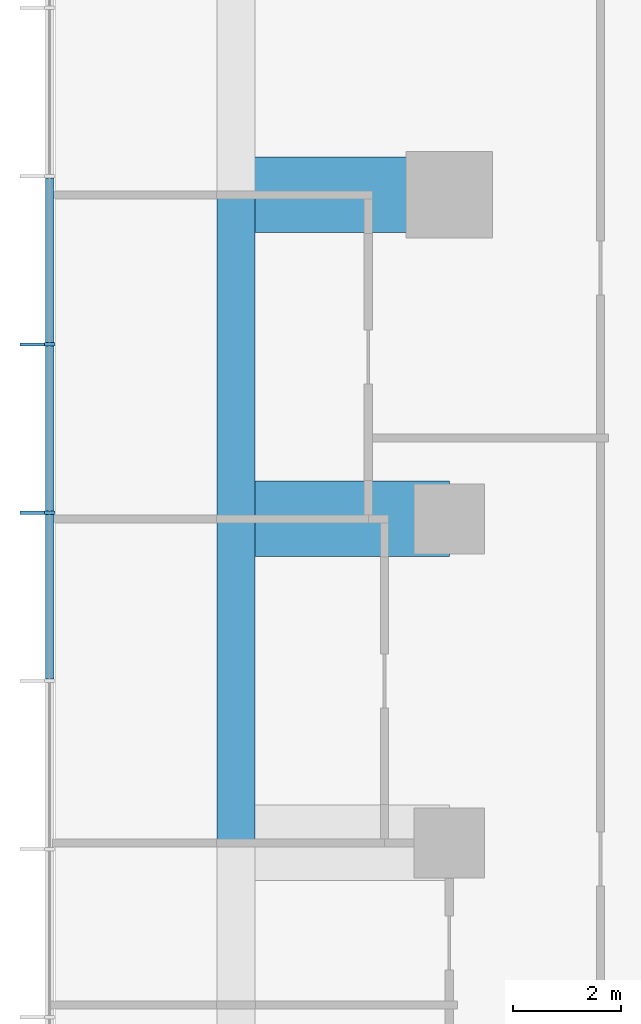
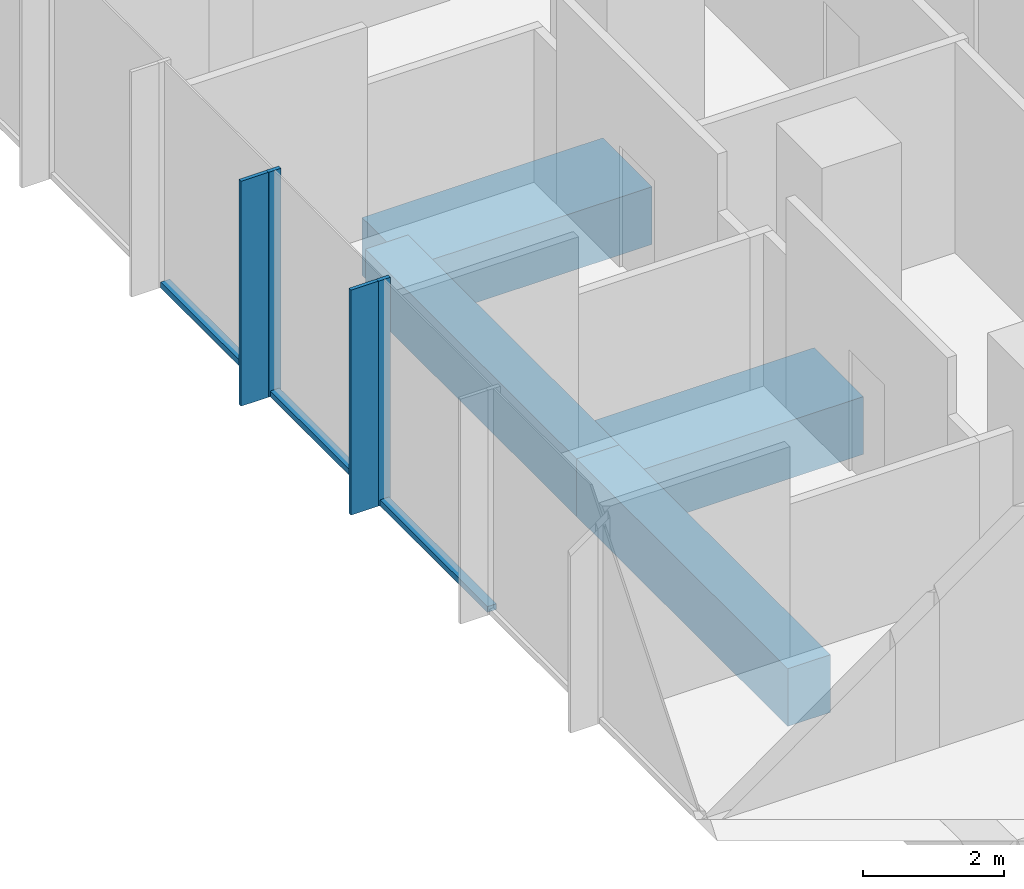
# One storey, part 3 of 11: 7 members, 4 beams, 1 element without a shape of its own.
"""IFC4 building model written with IfcOpenShell, lengths in metres."""

import ifcopenshell
import ifcopenshell.guid

model = None  # the IFC model being written
_history = None  # IfcOwnerHistory: only IFC2X3 demands one
_inside = {}  # id of a spatial element -> (the spatial element, [elements in it])
_under = {}  # id of a project, library or spatial element -> (it, [spatial elements below it])
_declared = {}  # id of a project -> (the project, [libraries it declares])
_typed = {}  # id of a type object -> (the type object, [elements of that type])
_made_of = {}  # id of a material, layer set ... -> (it, [elements and type objects made of it])


def new_model(schema):
    """Start an empty IFC model of exactly this schema.

    Asked for "IFC4X3", IfcOpenShell would pick the latest addendum, in which some entities
    have other attributes; the version numbers below select the first issue.
    IFC2X3 requires an IfcOwnerHistory on every rooted entity: one is made here for all.
    """
    global model, _history
    if schema == "IFC4X3":
        model = ifcopenshell.file(schema_version=(4, 3, 0, 0))
    else:
        model = ifcopenshell.file(schema=schema)
    _inside.clear()
    _under.clear()
    _declared.clear()
    _typed.clear()
    _made_of.clear()
    _history = None
    if model.schema == "IFC2X3":
        org = make("IfcOrganization", Name="unknown")
        user = make(
            "IfcPersonAndOrganization",
            ThePerson=make("IfcPerson", FamilyName="unknown"),
            TheOrganization=org,
        )
        app = make(
            "IfcApplication",
            ApplicationDeveloper=org,
            Version="unknown",
            ApplicationFullName="unknown",
            ApplicationIdentifier="unknown",
        )
        _history = make(
            "IfcOwnerHistory",
            OwningUser=user,
            OwningApplication=app,
            ChangeAction="ADDED",
            CreationDate=0,
        )
    return model


def make(cls, **values):
    """One entity of the class cls with the attributes given. An attribute that is None is left unset."""
    return model.create_entity(
        cls, **{name: value for name, value in values.items() if value is not None}
    )


def rooted(cls, **values):
    """An entity with a GlobalId (a new one), such as an element, a storey or a relation."""
    return make(cls, GlobalId=ifcopenshell.guid.new(), OwnerHistory=_history, **values)


def si_unit(unit_type, name, prefix=None):
    """IfcSIUnit, for example si_unit("LENGTHUNIT", "METRE", prefix="MILLI")."""
    return make("IfcSIUnit", UnitType=unit_type, Prefix=prefix, Name=name)


def assignment(units):
    """IfcUnitAssignment: the units of a project."""
    return None if units is None else make("IfcUnitAssignment", Units=units)


def point(xyz):
    """IfcCartesianPoint."""
    return None if xyz is None else make("IfcCartesianPoint", Coordinates=xyz)


def direction(xyz):
    """IfcDirection."""
    return None if xyz is None else make("IfcDirection", DirectionRatios=xyz)


def frame(location, z_axis=None, x_axis=None):
    """IfcAxis2Placement3D, a coordinate frame: its origin and axes. An axis left out is left unset."""
    return make(
        "IfcAxis2Placement3D",
        Location=point(location),
        Axis=direction(z_axis),
        RefDirection=direction(x_axis),
    )


def frame_2d(location, x_axis=None):
    """IfcAxis2Placement2D, a coordinate frame in the plane: its origin and x axis."""
    return make(
        "IfcAxis2Placement2D", Location=point(location), RefDirection=direction(x_axis)
    )


def origin():
    """The frame at (0, 0, 0) with its axes left unset."""
    return frame((0.0, 0.0, 0.0))


def origin_2d():
    """The frame at (0, 0) in the plane with its x axis left unset."""
    return frame_2d((0.0, 0.0))


def place(relative_to, where):
    """IfcLocalPlacement: puts the frame where relative to a parent placement (None: the world)."""
    return make(
        "IfcLocalPlacement", PlacementRelTo=relative_to, RelativePlacement=where
    )


def context(
    kind, dimensions, precision=None, world=None, true_north=None, identifier=None
):
    """IfcGeometricRepresentationContext, for example the 3D "Model" context."""
    return make(
        "IfcGeometricRepresentationContext",
        ContextIdentifier=identifier,
        ContextType=kind,
        CoordinateSpaceDimension=dimensions,
        Precision=precision,
        WorldCoordinateSystem=world,
        TrueNorth=true_north,
    )


def subcontext(parent, identifier, kind, view, scale=None):
    """IfcGeometricRepresentationSubContext, for example "Body" below "Model"."""
    return make(
        "IfcGeometricRepresentationSubContext",
        ContextIdentifier=identifier,
        ContextType=kind,
        ParentContext=parent,
        TargetScale=scale,
        TargetView=view,
    )


def project(units=None, contexts=None):
    """IfcProject with its units and contexts."""
    return rooted(
        "IfcProject",
        Name="project",
        RepresentationContexts=contexts,
        UnitsInContext=assignment(units),
    )


def spatial(cls, under=None, at=None, **own):
    """A site, building, storey or space (cls), placed at a placement, below another one or the project."""
    s = rooted(cls, ObjectPlacement=at, **own)
    if under is not None:
        _under.setdefault(under.id(), (under, []))[1].append(s)
    return s


def profile(cls, at=None, kind="AREA", **sizes):
    """A parametric profile (cls). Its sizes go by their IFC names, for example OverallWidth=200.0."""
    return make(cls, ProfileType=kind, Position=at, **sizes)


def rectangle(**sizes):
    """IfcRectangleProfileDef."""
    return profile("IfcRectangleProfileDef", **sizes)


def extrude(swept, where, along, depth):
    """IfcExtrudedAreaSolid: the profile swept, set in the frame where, extruded along a direction by depth."""
    return make(
        "IfcExtrudedAreaSolid",
        SweptArea=swept,
        Position=where,
        ExtrudedDirection=direction(along),
        Depth=depth,
    )


def shape(context_of_items, identifier, shape_type, items):
    """IfcShapeRepresentation: the items that make up one representation, for example the "Body"."""
    return make(
        "IfcShapeRepresentation",
        ContextOfItems=context_of_items,
        RepresentationIdentifier=identifier,
        RepresentationType=shape_type,
        Items=items,
    )


def material(Name=None, Category=None):
    """IfcMaterial."""
    return make("IfcMaterial", Name=Name, Category=Category)


def layer(
    of_material, thickness, ventilated=None, Name=None, Category=None, Priority=None
):
    """IfcMaterialLayer: one layer of a wall or slab, of a material (None: an air gap)."""
    return make(
        "IfcMaterialLayer",
        Material=of_material,
        LayerThickness=thickness,
        IsVentilated=ventilated,
        Name=Name,
        Category=Category,
        Priority=Priority,
    )


def layer_set(layers, Name=None):
    """IfcMaterialLayerSet."""
    return make("IfcMaterialLayerSet", MaterialLayers=layers, LayerSetName=Name)


def material_profile(
    of_material, cross_section, Name=None, Category=None, Priority=None
):
    """IfcMaterialProfile: a cross section and its material."""
    return make(
        "IfcMaterialProfile",
        Name=Name,
        Material=of_material,
        Profile=cross_section,
        Priority=Priority,
        Category=Category,
    )


def profile_set(profiles, Name=None, composite=None):
    """IfcMaterialProfileSet."""
    return make(
        "IfcMaterialProfileSet",
        Name=Name,
        MaterialProfiles=profiles,
        CompositeProfile=composite,
    )


def made_of(thing, what):
    """Note that an element or type object is made of a material, layer set ...; save() writes the relation."""
    if what is not None:
        _made_of.setdefault(what.id(), (what, []))[1].append(thing)
    return thing


def type_object(cls, material=None, **own):
    """A type object (cls), such as IfcWallType, which elements share."""
    return made_of(rooted(cls, **own), material)


def element(
    cls,
    number,
    at=None,
    inside=None,
    cuts=None,
    type_object=None,
    material=None,
    context=None,
    identifier="Body",
    shape_type=None,
    held_by="IfcProductDefinitionShape",
    body=None,
    shapes=None,
    **own,
):
    """One element of the class cls, such as IfcWall. Its Tag is "e" and its number.

    at: its placement. inside: the storey or other place that contains it. cuts: it is an
    opening in that element (IfcRelVoidsElement). A single representation is given by context,
    identifier, shape_type and body (its items); several are given by shapes. held_by: the class
    of the entity that holds the representations. save() writes the other relations.
    """
    e = rooted(cls, Tag="e%d" % number, ObjectPlacement=at, **own)
    if body is not None:
        shapes = [shape(context, identifier, shape_type, body)]
    if shapes is not None:
        e.Representation = make(held_by, Representations=shapes)
    if inside is not None:
        _inside.setdefault(inside.id(), (inside, []))[1].append(e)
    if cuts is not None:
        rooted(
            "IfcRelVoidsElement", RelatingBuildingElement=cuts, RelatedOpeningElement=e
        )
    if type_object is not None:
        _typed.setdefault(type_object.id(), (type_object, []))[1].append(e)
    return made_of(e, material)


def aggregate(whole, parts):
    """IfcRelAggregates: a whole, such as a stair, and the parts it consists of."""
    return rooted("IfcRelAggregates", RelatingObject=whole, RelatedObjects=parts)


def save(model, path):
    """Write the relations noted so far, then the file.

    IfcRelAggregates (storeys below a building ...), IfcRelContainedInSpatialStructure (elements
    in a storey), IfcRelDefinesByType, IfcRelAssociatesMaterial and IfcRelDeclares: one each for
    every whole, place, type object, material and project.
    """
    for whole, parts in _under.values():
        aggregate(whole, parts)
    for where, things in _inside.values():
        rooted(
            "IfcRelContainedInSpatialStructure",
            RelatedElements=things,
            RelatingStructure=where,
        )
    for kind, things in _typed.values():
        rooted("IfcRelDefinesByType", RelatedObjects=things, RelatingType=kind)
    for what, things in _made_of.values():
        rooted("IfcRelAssociatesMaterial", RelatedObjects=things, RelatingMaterial=what)
    for by, libraries in _declared.values():
        rooted("IfcRelDeclares", RelatingContext=by, RelatedDefinitions=libraries)
    model.write(path)


model = new_model("IFC4")

# Units and contexts
model_context = context("Model", 3, precision=1e-05, world=origin(), true_north=direction((0.0, 1.0)))
body_context = subcontext(model_context, "Body", "Model", "MODEL_VIEW")
ifc_project = project(units=[si_unit("LENGTHUNIT", "METRE"), si_unit("AREAUNIT", "SQUARE_METRE"), si_unit("VOLUMEUNIT", "CUBIC_METRE"), si_unit("PLANEANGLEUNIT", "RADIAN"), si_unit("MASSUNIT", "GRAM", prefix="KILO")], contexts=[model_context])

# Site, building, storey
site_placement = place(None, origin())
site = spatial("IfcSite", under=ifc_project, at=site_placement, CompositionType="ELEMENT")
building_placement = place(site_placement, origin())
building = spatial("IfcBuilding", under=site, at=building_placement, Name="Highveld Stack Headquarters", CompositionType="ELEMENT")
storey_placement = place(building_placement, frame((0.0, 0.0, 200.60009765625)))
storey = spatial("IfcBuildingStorey", under=building, at=storey_placement, Name="L49", CompositionType="ELEMENT", Elevation=200.60009765625)

# Beams
ifc_material_1 = material(Name="Concrete C60/75", Category="concrete")
ifc_material_profile_1 = material_profile(ifc_material_1, rectangle(XDim=1.39990234375, YDim=1.0, at=origin_2d()), Name="RC 1400x1000")
ifc_profile_set_1 = profile_set([ifc_material_profile_1], Name="Concrete C60/75")
beam_type_1 = type_object("IfcBeamType", Name="CANTILEVER RIB RC 1400x1000", PredefinedType="USERDEFINED", material=ifc_profile_set_1)
for number, where, z_axis, x_axis, name in (
    (1, (-12.0, 12.0, -0.75), (-1.0, 0.0, 0.0), (0.0, -1.0, 0.0), "Cantilever rib 4/G L49"),
    (2, (-12.0, 18.0, -0.75), (-1.0, 0.0, 0.0), (0.0, -1.0, 0.0), "Cantilever rib 4/H L49"),
):
    element("IfcBeam", number, at=place(storey_placement, frame(where, z_axis=z_axis, x_axis=x_axis)), inside=storey, type_object=beam_type_1, Name=name, ObjectType="CANTILEVER RIB", PredefinedType="USERDEFINED", context=body_context, shape_type="SweptSolid", body=[
        extrude(rectangle(XDim=1.39990234375, YDim=1.0, at=origin_2d()), origin(), (0.0, 0.0, 1.0), 3.949951171875),
    ])

# Curtain wall, members
ifc_material_2 = material(Name="Aluminium bronze anodised", Category="aluminium")
ifc_layer = layer(ifc_material_2, 0.199951171875)
ifc_layer_set = layer_set([ifc_layer], Name="Aluminium bronze anodised")
curtain_wall_type = type_object("IfcCurtainWallType", Name="CW1 TOWER UNITISED CURTAIN WALL", PredefinedType="NOTDEFINED", material=ifc_layer_set)
curtain_wall_placement = place(storey_placement, origin())
curtain_wall = element("IfcCurtainWall", 3, at=curtain_wall_placement, inside=storey, type_object=curtain_wall_type, Name="Curtain wall CW1 L49 W", PredefinedType="NOTDEFINED")
ifc_material_3 = material(Name="Aluminium bronze anodised", Category="aluminium")
ifc_material_profile_2 = material_profile(ifc_material_3, rectangle(XDim=0.449951171875, YDim=0.06005859375, at=origin_2d()), Name="FIN 450x60")
ifc_profile_set_2 = profile_set([ifc_material_profile_2], Name="Aluminium bronze anodised")
member_type_1 = type_object("IfcMemberType", Name="CW1 BRONZE FIN 450x60", PredefinedType="USERDEFINED", material=ifc_profile_set_2)
member_1_placement = place(storey_placement, frame((-19.72509765625, 15.23193359375, 0.0), z_axis=(0.0, 0.0, 1.0), x_axis=(1.0, 0.0, 0.0)))
member_1 = element("IfcMember", 4, at=member_1_placement, type_object=member_type_1, Name="CW1 fin L49 4", ObjectType="FIN", PredefinedType="USERDEFINED", context=body_context, shape_type="SweptSolid", body=[
    extrude(rectangle(XDim=0.449951171875, YDim=0.06005859375, at=origin_2d()), origin(), (0.0, 0.0, 1.0), 3.89990234375),
])
member_2_placement = place(storey_placement, frame((-19.72509765625, 12.115966796875, 0.0), z_axis=(0.0, 0.0, 1.0), x_axis=(1.0, 0.0, 0.0)))
member_2 = element("IfcMember", 5, at=member_2_placement, type_object=member_type_1, Name="CW1 fin L49 5", ObjectType="FIN", PredefinedType="USERDEFINED", context=body_context, shape_type="SweptSolid", body=[
    extrude(rectangle(XDim=0.449951171875, YDim=0.06005859375, at=origin_2d()), origin(), (0.0, 0.0, 1.0), 3.89990234375),
])
ifc_material_4 = material(Name="Aluminium bronze anodised", Category="aluminium")
ifc_material_profile_3 = material_profile(ifc_material_4, rectangle(XDim=0.199951171875, YDim=0.06494140625, at=origin_2d()), Name="CW1 MULLION 65x200")
ifc_profile_set_3 = profile_set([ifc_material_profile_3], Name="Aluminium bronze anodised")
member_type_2 = type_object("IfcMemberType", Name="CW1 MULLION 65x200", PredefinedType="MULLION", material=ifc_profile_set_3)
member_3_placement = place(storey_placement, frame((-19.39990234375, 15.23193359375, 0.0), z_axis=(0.0, 0.0, 1.0), x_axis=(1.0, 0.0, 0.0)))
member_3 = element("IfcMember", 6, at=member_3_placement, type_object=member_type_2, Name="CW1 mullion L49 4", PredefinedType="MULLION", context=body_context, shape_type="SweptSolid", body=[
    extrude(rectangle(XDim=0.199951171875, YDim=0.06494140625, at=origin_2d()), origin(), (0.0, 0.0, 1.0), 3.89990234375),
])
member_4_placement = place(storey_placement, frame((-19.39990234375, 12.115966796875, 0.0), z_axis=(0.0, 0.0, 1.0), x_axis=(1.0, 0.0, 0.0)))
member_4 = element("IfcMember", 7, at=member_4_placement, type_object=member_type_2, Name="CW1 mullion L49 5", PredefinedType="MULLION", context=body_context, shape_type="SweptSolid", body=[
    extrude(rectangle(XDim=0.199951171875, YDim=0.06494140625, at=origin_2d()), origin(), (0.0, 0.0, 1.0), 3.89990234375),
])
ifc_material_5 = material(Name="Aluminium bronze anodised", Category="aluminium")
ifc_material_profile_4 = material_profile(ifc_material_5, rectangle(XDim=0.14990234375, YDim=0.10009765625, at=origin_2d()), Name="CW1 TRANSOM 150x100")
ifc_profile_set_4 = profile_set([ifc_material_profile_4], Name="Aluminium bronze anodised")
member_type_3 = type_object("IfcMemberType", Name="CW1 STACK TRANSOM 150x100", PredefinedType="USERDEFINED", material=ifc_profile_set_4)
member_5_placement = place(storey_placement, frame((-19.39990234375, 18.3154296875, 0.0498046875), z_axis=(0.0, -1.0, 0.0), x_axis=(1.0, 0.0, 0.0)))
member_5 = element("IfcMember", 8, at=member_5_placement, type_object=member_type_3, Name="CW1 transom L49 3.1", ObjectType="TRANSOM", PredefinedType="USERDEFINED", context=body_context, shape_type="SweptSolid", body=[
    extrude(rectangle(XDim=0.14990234375, YDim=0.10009765625, at=origin_2d()), origin(), (0.0, 0.0, 1.0), 3.051025390625),
])
member_6_placement = place(storey_placement, frame((-19.39990234375, 15.199462890625, 0.0498046875), z_axis=(0.0, -1.0, 0.0), x_axis=(1.0, 0.0, 0.0)))
member_6 = element("IfcMember", 9, at=member_6_placement, type_object=member_type_3, Name="CW1 transom L49 4.1", ObjectType="TRANSOM", PredefinedType="USERDEFINED", context=body_context, shape_type="SweptSolid", body=[
    extrude(rectangle(XDim=0.14990234375, YDim=0.10009765625, at=origin_2d()), origin(), (0.0, 0.0, 1.0), 3.051025390625),
])
member_7_placement = place(storey_placement, frame((-19.39990234375, 12.08349609375, 0.0498046875), z_axis=(0.0, -1.0, 0.0), x_axis=(1.0, 0.0, 0.0)))
member_7 = element("IfcMember", 10, at=member_7_placement, type_object=member_type_3, Name="CW1 transom L49 5.1", ObjectType="TRANSOM", PredefinedType="USERDEFINED", context=body_context, shape_type="SweptSolid", body=[
    extrude(rectangle(XDim=0.14990234375, YDim=0.10009765625, at=origin_2d()), origin(), (0.0, 0.0, 1.0), 3.051025390625),
])
aggregate(curtain_wall, [member_3, member_1, member_4, member_2, member_5, member_6, member_7])

# Beams
ifc_material_6 = material(Name="Concrete C60/75", Category="concrete")
ifc_material_profile_5 = material_profile(ifc_material_6, rectangle(XDim=0.699951171875, YDim=1.0, at=origin_2d()), Name="RC 700x1000")
ifc_profile_set_5 = profile_set([ifc_material_profile_5], Name="Concrete C60/75")
beam_type_2 = type_object("IfcBeamType", Name="RIB TIP BEAM RC 700x1000", PredefinedType="SPANDREL", material=ifc_profile_set_5)
for number, where, z_axis, x_axis, name in (
    (11, (-15.949951171875, 6.0, -0.75), (0.0, 1.0, 0.0), (-1.0, 0.0, 0.0), "Rib tip beam 4/F to 4/G L49"),
    (12, (-15.949951171875, 12.0, -0.75), (0.0, 1.0, 0.0), (-1.0, 0.0, 0.0), "Rib tip beam 4/G to 4/H L49"),
):
    element("IfcBeam", number, at=place(storey_placement, frame(where, z_axis=z_axis, x_axis=x_axis)), inside=storey, type_object=beam_type_2, Name=name, PredefinedType="SPANDREL", context=body_context, shape_type="SweptSolid", body=[
        extrude(rectangle(XDim=0.699951171875, YDim=1.0, at=origin_2d()), origin(), (0.0, 0.0, 1.0), 6.0),
    ])

save(model, "model.ifc")
